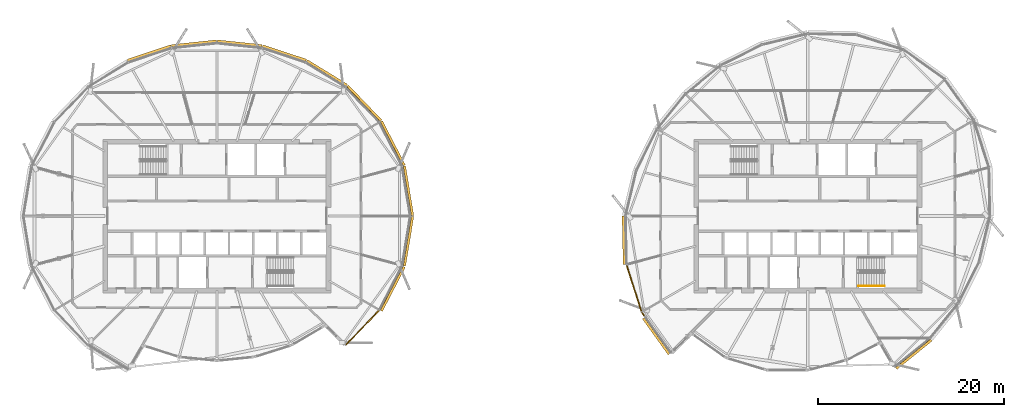
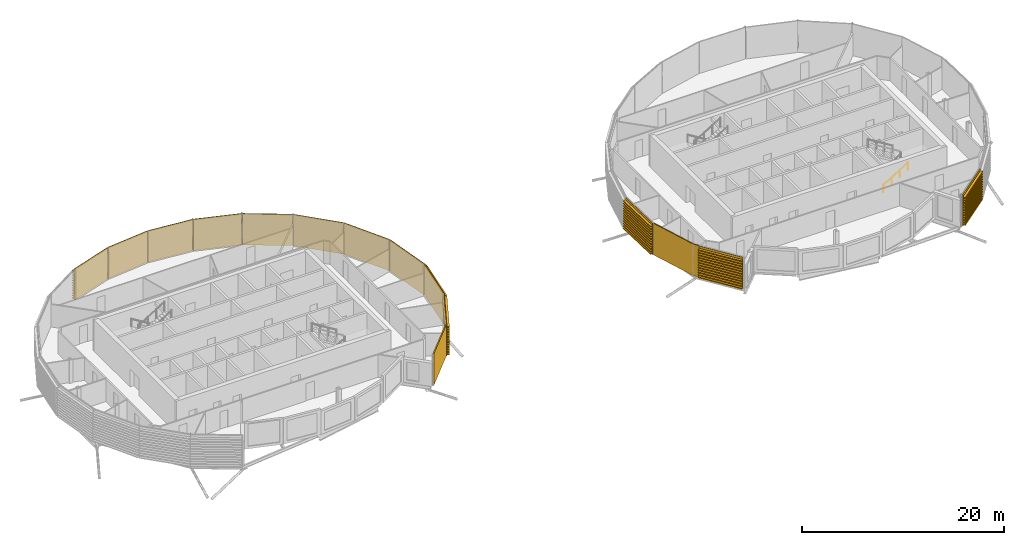
# One storey, part 33 of 35: 15 coverings, 1 railing.
"""IFC4 building model written with IfcOpenShell, lengths in metres."""

from ifc_helpers import new_model, si_unit, direction, frame, origin, origin_2d, place, context, subcontext, project, spatial, polyline, circle, outline, extrude, material, layer, layer_set, material_profile, profile_set, type_object, element, save


model = new_model("IFC4")

# Units and contexts
model_context = context("Model", 3, precision=1e-05, world=origin(), true_north=direction((0.0, 1.0)))
body_context = subcontext(model_context, "Body", "Model", "MODEL_VIEW")
ifc_project = project(units=[si_unit("LENGTHUNIT", "METRE"), si_unit("AREAUNIT", "SQUARE_METRE"), si_unit("VOLUMEUNIT", "CUBIC_METRE"), si_unit("PLANEANGLEUNIT", "RADIAN"), si_unit("MASSUNIT", "GRAM", prefix="KILO")], contexts=[model_context])

# Site, building, storey
site_placement = place(None, origin())
site = spatial("IfcSite", under=ifc_project, at=site_placement, CompositionType="ELEMENT")
building_placement = place(site_placement, origin())
building = spatial("IfcBuilding", under=site, at=building_placement, Name="Rimbun Link Towers", CompositionType="ELEMENT")
storey_placement = place(building_placement, frame((0.0, 0.0, 229.5)))
storey = spatial("IfcBuildingStorey", under=building, at=storey_placement, Name="L56", CompositionType="ELEMENT", Elevation=229.5)

# Coverings
ifc_material_1 = material(Name="Terracotta", Category="masonry")
ifc_layer = layer(ifc_material_1, 0.1201171875)
ifc_layer_set = layer_set([ifc_layer], Name="LINK PIER terracotta cladding 120")
covering_type_1 = type_object("IfcCoveringType", Name="LINK PIER terracotta cladding 120", PredefinedType="CLADDING", material=ifc_layer_set)
covering_1_placement = place(storey_placement, origin())
element("IfcCovering", 1, at=covering_1_placement, inside=storey, type_object=covering_type_1, Name="LINK PIER cladding", PredefinedType="CLADDING", context=body_context, shape_type="SweptSolid", body=[
    extrude(outline(polyline([(-14.3525390625, -10.078125), (-17.914306640625, -13.79345703125), (-17.82763671875, -13.87646484375), (-14.265869140625, -10.1611328125), (-14.3525390625, -10.078125)])), origin(), (0.0, 0.0, 1.0), 3.800048828125),
])
covering_2_placement = place(storey_placement, origin())
element("IfcCovering", 2, at=covering_2_placement, inside=storey, type_object=covering_type_1, Name="LINK PIER cladding", PredefinedType="CLADDING", context=body_context, shape_type="SweptSolid", body=[
    extrude(outline(polyline([(14.298828125, -10.787841796875), (13.9375, -10.2841796875), (12.33154296875, -5.234130859375), (12.217041015625, -5.2705078125), (13.828857421875, -10.338623046875), (14.201416015625, -10.85791015625), (14.298828125, -10.787841796875)])), origin(), (0.0, 0.0, 1.0), 3.800048828125),
])

# Railing
ifc_material_2 = material(Name="Stainless steel grade 316", Category="steel")
railing_type = type_object("IfcRailingType", Name="Stair handrail", PredefinedType="HANDRAIL", material=ifc_material_2)
railing_placement = place(storey_placement, frame((37.199951171875, -7.5, 0.172607421875)))
element("IfcRailing", 3, at=railing_placement, inside=storey, type_object=railing_type, Name="L56 ST4 stair handrail 1", PredefinedType="HANDRAIL", context=body_context, shape_type="SweptSolid", body=[
    extrude(circle(Radius=0.02392578125, at=origin_2d()), frame((0.0, 0.0, 0.8759765625), z_axis=(0.851089632645, 0.0, 0.525020415988), x_axis=(0.0, 1.0, 0.0)), (0.0, 0.0, 1.0), 3.2900390625),
    extrude(circle(Radius=0.02099609375, at=origin_2d()), origin(), (0.0, 0.0, 1.0), 0.851806640625),
    extrude(circle(Radius=0.02099609375, at=origin_2d()), frame((0.933349609375, 0.0, 0.57568359375)), (0.0, 0.0, 1.0), 0.851806640625),
    extrude(circle(Radius=0.02099609375, at=origin_2d()), frame((1.86669921875, 0.0, 1.151611328125)), (0.0, 0.0, 1.0), 0.851806640625),
    extrude(circle(Radius=0.02099609375, at=origin_2d()), frame((2.800048828125, 0.0, 1.727294921875)), (0.0, 0.0, 1.0), 0.851806640625),
])

# Coverings
ifc_material_3 = material(Name="Terracotta", Category="masonry")
ifc_material_profile = material_profile(ifc_material_3, outline(polyline([(0.123046875, 0.0), (0.1630859375, 0.0), (0.1630859375, 0.10009765625), (0.423095703125, 0.10009765625), (0.423095703125, 0.219970703125), (0.1630859375, 0.219970703125), (0.1630859375, 0.39990234375), (0.423095703125, 0.39990234375), (0.423095703125, 0.52001953125), (0.1630859375, 0.52001953125), (0.1630859375, 0.699951171875), (0.423095703125, 0.699951171875), (0.423095703125, 0.820068359375), (0.1630859375, 0.820068359375), (0.1630859375, 1.0), (0.423095703125, 1.0), (0.423095703125, 1.1201171875), (0.1630859375, 1.1201171875), (0.1630859375, 1.300048828125), (0.423095703125, 1.300048828125), (0.423095703125, 1.419921875), (0.1630859375, 1.419921875), (0.1630859375, 1.60009765625), (0.423095703125, 1.60009765625), (0.423095703125, 1.719970703125), (0.1630859375, 1.719970703125), (0.1630859375, 1.89990234375), (0.423095703125, 1.89990234375), (0.423095703125, 2.02001953125), (0.1630859375, 2.02001953125), (0.1630859375, 2.199951171875), (0.423095703125, 2.199951171875), (0.423095703125, 2.320068359375), (0.1630859375, 2.320068359375), (0.1630859375, 2.5), (0.423095703125, 2.5), (0.423095703125, 2.6201171875), (0.1630859375, 2.6201171875), (0.1630859375, 2.800048828125), (0.423095703125, 2.800048828125), (0.423095703125, 2.919921875), (0.1630859375, 2.919921875), (0.1630859375, 3.10009765625), (0.423095703125, 3.10009765625), (0.423095703125, 3.219970703125), (0.1630859375, 3.219970703125), (0.1630859375, 3.39990234375), (0.423095703125, 3.39990234375), (0.423095703125, 3.52001953125), (0.1630859375, 3.52001953125), (0.1630859375, 3.800048828125), (0.123046875, 3.800048828125), (0.123046875, 0.0)])), Name="BAGUETTE 120X300")
ifc_profile_set = profile_set([ifc_material_profile], Name="Terracotta")
covering_type_2 = type_object("IfcCoveringType", Name="TERRACOTTA BAGUETTE 120X300 H3800", PredefinedType="CLADDING", material=ifc_profile_set)
covering_3_placement = place(storey_placement, frame((-11.8828125, 5.323486328125, 0.0), z_axis=(0.162277824196, -0.986745107804, 0.0), x_axis=(0.986745107804, 0.162277824196, 0.0)))
element("IfcCovering", 4, at=covering_3_placement, inside=storey, type_object=covering_type_2, Name="TERRACOTTA BAGUETTE", PredefinedType="CLADDING", context=body_context, shape_type="SweptSolid", body=[
    extrude(outline(polyline([(0.123046875, 0.0), (0.1630859375, 0.0), (0.1630859375, 0.10009765625), (0.423095703125, 0.10009765625), (0.423095703125, 0.219970703125), (0.1630859375, 0.219970703125), (0.1630859375, 0.39990234375), (0.423095703125, 0.39990234375), (0.423095703125, 0.52001953125), (0.1630859375, 0.52001953125), (0.1630859375, 0.699951171875), (0.423095703125, 0.699951171875), (0.423095703125, 0.820068359375), (0.1630859375, 0.820068359375), (0.1630859375, 1.0), (0.423095703125, 1.0), (0.423095703125, 1.1201171875), (0.1630859375, 1.1201171875), (0.1630859375, 1.300048828125), (0.423095703125, 1.300048828125), (0.423095703125, 1.419921875), (0.1630859375, 1.419921875), (0.1630859375, 1.60009765625), (0.423095703125, 1.60009765625), (0.423095703125, 1.719970703125), (0.1630859375, 1.719970703125), (0.1630859375, 1.89990234375), (0.423095703125, 1.89990234375), (0.423095703125, 2.02001953125), (0.1630859375, 2.02001953125), (0.1630859375, 2.199951171875), (0.423095703125, 2.199951171875), (0.423095703125, 2.320068359375), (0.1630859375, 2.320068359375), (0.1630859375, 2.5), (0.423095703125, 2.5), (0.423095703125, 2.6201171875), (0.1630859375, 2.6201171875), (0.1630859375, 2.800048828125), (0.423095703125, 2.800048828125), (0.423095703125, 2.919921875), (0.1630859375, 2.919921875), (0.1630859375, 3.10009765625), (0.423095703125, 3.10009765625), (0.423095703125, 3.219970703125), (0.1630859375, 3.219970703125), (0.1630859375, 3.39990234375), (0.423095703125, 3.39990234375), (0.423095703125, 3.52001953125), (0.1630859375, 3.52001953125), (0.1630859375, 3.800048828125), (0.123046875, 3.800048828125), (0.123046875, 0.0)])), origin(), (0.0, 0.0, 1.0), 5.39501953125),
])
covering_4_placement = place(storey_placement, frame((-14.331787109375, 10.056396484375, 0.0), z_axis=(0.459558764899, -0.888147364802, 0.0), x_axis=(0.888147364802, 0.459558764899, 0.0)))
element("IfcCovering", 5, at=covering_4_placement, inside=storey, type_object=covering_type_2, Name="TERRACOTTA BAGUETTE", PredefinedType="CLADDING", context=body_context, shape_type="SweptSolid", body=[
    extrude(outline(polyline([(0.123046875, 0.0), (0.1630859375, 0.0), (0.1630859375, 0.10009765625), (0.423095703125, 0.10009765625), (0.423095703125, 0.219970703125), (0.1630859375, 0.219970703125), (0.1630859375, 0.39990234375), (0.423095703125, 0.39990234375), (0.423095703125, 0.52001953125), (0.1630859375, 0.52001953125), (0.1630859375, 0.699951171875), (0.423095703125, 0.699951171875), (0.423095703125, 0.820068359375), (0.1630859375, 0.820068359375), (0.1630859375, 1.0), (0.423095703125, 1.0), (0.423095703125, 1.1201171875), (0.1630859375, 1.1201171875), (0.1630859375, 1.300048828125), (0.423095703125, 1.300048828125), (0.423095703125, 1.419921875), (0.1630859375, 1.419921875), (0.1630859375, 1.60009765625), (0.423095703125, 1.60009765625), (0.423095703125, 1.719970703125), (0.1630859375, 1.719970703125), (0.1630859375, 1.89990234375), (0.423095703125, 1.89990234375), (0.423095703125, 2.02001953125), (0.1630859375, 2.02001953125), (0.1630859375, 2.199951171875), (0.423095703125, 2.199951171875), (0.423095703125, 2.320068359375), (0.1630859375, 2.320068359375), (0.1630859375, 2.5), (0.423095703125, 2.5), (0.423095703125, 2.6201171875), (0.1630859375, 2.6201171875), (0.1630859375, 2.800048828125), (0.423095703125, 2.800048828125), (0.423095703125, 2.919921875), (0.1630859375, 2.919921875), (0.1630859375, 3.10009765625), (0.423095703125, 3.10009765625), (0.423095703125, 3.219970703125), (0.1630859375, 3.219970703125), (0.1630859375, 3.39990234375), (0.423095703125, 3.39990234375), (0.423095703125, 3.52001953125), (0.1630859375, 3.52001953125), (0.1630859375, 3.800048828125), (0.123046875, 3.800048828125), (0.123046875, 0.0)])), origin(), (0.0, 0.0, 1.0), 5.328857421875),
])
covering_5_placement = place(storey_placement, frame((-17.93505859375, 13.81494140625, 0.0), z_axis=(0.692038763071, -0.72186033996, 0.0), x_axis=(0.72186033996, 0.692038763071, 0.0)))
element("IfcCovering", 6, at=covering_5_placement, inside=storey, type_object=covering_type_2, Name="TERRACOTTA BAGUETTE", PredefinedType="CLADDING", context=body_context, shape_type="SweptSolid", body=[
    extrude(outline(polyline([(0.123046875, 0.0), (0.1630859375, 0.0), (0.1630859375, 0.10009765625), (0.423095703125, 0.10009765625), (0.423095703125, 0.219970703125), (0.1630859375, 0.219970703125), (0.1630859375, 0.39990234375), (0.423095703125, 0.39990234375), (0.423095703125, 0.52001953125), (0.1630859375, 0.52001953125), (0.1630859375, 0.699951171875), (0.423095703125, 0.699951171875), (0.423095703125, 0.820068359375), (0.1630859375, 0.820068359375), (0.1630859375, 1.0), (0.423095703125, 1.0), (0.423095703125, 1.1201171875), (0.1630859375, 1.1201171875), (0.1630859375, 1.300048828125), (0.423095703125, 1.300048828125), (0.423095703125, 1.419921875), (0.1630859375, 1.419921875), (0.1630859375, 1.60009765625), (0.423095703125, 1.60009765625), (0.423095703125, 1.719970703125), (0.1630859375, 1.719970703125), (0.1630859375, 1.89990234375), (0.423095703125, 1.89990234375), (0.423095703125, 2.02001953125), (0.1630859375, 2.02001953125), (0.1630859375, 2.199951171875), (0.423095703125, 2.199951171875), (0.423095703125, 2.320068359375), (0.1630859375, 2.320068359375), (0.1630859375, 2.5), (0.423095703125, 2.5), (0.423095703125, 2.6201171875), (0.1630859375, 2.6201171875), (0.1630859375, 2.800048828125), (0.423095703125, 2.800048828125), (0.423095703125, 2.919921875), (0.1630859375, 2.919921875), (0.1630859375, 3.10009765625), (0.423095703125, 3.10009765625), (0.423095703125, 3.219970703125), (0.1630859375, 3.219970703125), (0.1630859375, 3.39990234375), (0.423095703125, 3.39990234375), (0.423095703125, 3.52001953125), (0.1630859375, 3.52001953125), (0.1630859375, 3.800048828125), (0.123046875, 3.800048828125), (0.123046875, 0.0)])), origin(), (0.0, 0.0, 1.0), 5.206787109375),
])
covering_6_placement = place(storey_placement, frame((-22.245849609375, 16.4619140625, 0.0), z_axis=(0.852171603276, -0.523262418458, 0.0), x_axis=(0.523262418458, 0.852171603276, 0.0)))
element("IfcCovering", 7, at=covering_6_placement, inside=storey, type_object=covering_type_2, Name="TERRACOTTA BAGUETTE", PredefinedType="CLADDING", context=body_context, shape_type="SweptSolid", body=[
    extrude(outline(polyline([(0.123046875, 0.0), (0.1630859375, 0.0), (0.1630859375, 0.10009765625), (0.423095703125, 0.10009765625), (0.423095703125, 0.219970703125), (0.1630859375, 0.219970703125), (0.1630859375, 0.39990234375), (0.423095703125, 0.39990234375), (0.423095703125, 0.52001953125), (0.1630859375, 0.52001953125), (0.1630859375, 0.699951171875), (0.423095703125, 0.699951171875), (0.423095703125, 0.820068359375), (0.1630859375, 0.820068359375), (0.1630859375, 1.0), (0.423095703125, 1.0), (0.423095703125, 1.1201171875), (0.1630859375, 1.1201171875), (0.1630859375, 1.300048828125), (0.423095703125, 1.300048828125), (0.423095703125, 1.419921875), (0.1630859375, 1.419921875), (0.1630859375, 1.60009765625), (0.423095703125, 1.60009765625), (0.423095703125, 1.719970703125), (0.1630859375, 1.719970703125), (0.1630859375, 1.89990234375), (0.423095703125, 1.89990234375), (0.423095703125, 2.02001953125), (0.1630859375, 2.02001953125), (0.1630859375, 2.199951171875), (0.423095703125, 2.199951171875), (0.423095703125, 2.320068359375), (0.1630859375, 2.320068359375), (0.1630859375, 2.5), (0.423095703125, 2.5), (0.423095703125, 2.6201171875), (0.1630859375, 2.6201171875), (0.1630859375, 2.800048828125), (0.423095703125, 2.800048828125), (0.423095703125, 2.919921875), (0.1630859375, 2.919921875), (0.1630859375, 3.10009765625), (0.423095703125, 3.10009765625), (0.423095703125, 3.219970703125), (0.1630859375, 3.219970703125), (0.1630859375, 3.39990234375), (0.423095703125, 3.39990234375), (0.423095703125, 3.52001953125), (0.1630859375, 3.52001953125), (0.1630859375, 3.800048828125), (0.123046875, 3.800048828125), (0.123046875, 0.0)])), origin(), (0.0, 0.0, 1.0), 5.05859375),
])
covering_7_placement = place(storey_placement, frame((-26.923583984375, 18.011962890625, 0.0), z_axis=(0.949241645975, -0.314547766717, 0.0), x_axis=(0.314547766717, 0.949241645975, 0.0)))
element("IfcCovering", 8, at=covering_7_placement, inside=storey, type_object=covering_type_2, Name="TERRACOTTA BAGUETTE", PredefinedType="CLADDING", context=body_context, shape_type="SweptSolid", body=[
    extrude(outline(polyline([(0.123046875, 0.0), (0.1630859375, 0.0), (0.1630859375, 0.10009765625), (0.423095703125, 0.10009765625), (0.423095703125, 0.219970703125), (0.1630859375, 0.219970703125), (0.1630859375, 0.39990234375), (0.423095703125, 0.39990234375), (0.423095703125, 0.52001953125), (0.1630859375, 0.52001953125), (0.1630859375, 0.699951171875), (0.423095703125, 0.699951171875), (0.423095703125, 0.820068359375), (0.1630859375, 0.820068359375), (0.1630859375, 1.0), (0.423095703125, 1.0), (0.423095703125, 1.1201171875), (0.1630859375, 1.1201171875), (0.1630859375, 1.300048828125), (0.423095703125, 1.300048828125), (0.423095703125, 1.419921875), (0.1630859375, 1.419921875), (0.1630859375, 1.60009765625), (0.423095703125, 1.60009765625), (0.423095703125, 1.719970703125), (0.1630859375, 1.719970703125), (0.1630859375, 1.89990234375), (0.423095703125, 1.89990234375), (0.423095703125, 2.02001953125), (0.1630859375, 2.02001953125), (0.1630859375, 2.199951171875), (0.423095703125, 2.199951171875), (0.423095703125, 2.320068359375), (0.1630859375, 2.320068359375), (0.1630859375, 2.5), (0.423095703125, 2.5), (0.423095703125, 2.6201171875), (0.1630859375, 2.6201171875), (0.1630859375, 2.800048828125), (0.423095703125, 2.800048828125), (0.423095703125, 2.919921875), (0.1630859375, 2.919921875), (0.1630859375, 3.10009765625), (0.423095703125, 3.10009765625), (0.423095703125, 3.219970703125), (0.1630859375, 3.219970703125), (0.1630859375, 3.39990234375), (0.423095703125, 3.39990234375), (0.423095703125, 3.52001953125), (0.1630859375, 3.52001953125), (0.1630859375, 3.800048828125), (0.123046875, 3.800048828125), (0.123046875, 0.0)])), origin(), (0.0, 0.0, 1.0), 4.927978515625),
])
for number, where, z_axis, x_axis, name in (
    (9, (-31.75, 18.520263671875, 0.0), (0.994499938553, -0.104737157776, 0.0), (0.104737157776, 0.994499938553, 0.0), "TERRACOTTA BAGUETTE"),
    (10, (-36.576416015625, 18.011962890625, 0.0), (0.994499938553, 0.104737157776, 0.0), (-0.104737157776, 0.994499938553, 0.0), "TERRACOTTA BAGUETTE"),
):
    element("IfcCovering", number, at=place(storey_placement, frame(where, z_axis=z_axis, x_axis=x_axis)), inside=storey, type_object=covering_type_2, Name=name, PredefinedType="CLADDING", context=body_context, shape_type="SweptSolid", body=[
        extrude(outline(polyline([(0.123046875, 0.0), (0.1630859375, 0.0), (0.1630859375, 0.10009765625), (0.423095703125, 0.10009765625), (0.423095703125, 0.219970703125), (0.1630859375, 0.219970703125), (0.1630859375, 0.39990234375), (0.423095703125, 0.39990234375), (0.423095703125, 0.52001953125), (0.1630859375, 0.52001953125), (0.1630859375, 0.699951171875), (0.423095703125, 0.699951171875), (0.423095703125, 0.820068359375), (0.1630859375, 0.820068359375), (0.1630859375, 1.0), (0.423095703125, 1.0), (0.423095703125, 1.1201171875), (0.1630859375, 1.1201171875), (0.1630859375, 1.300048828125), (0.423095703125, 1.300048828125), (0.423095703125, 1.419921875), (0.1630859375, 1.419921875), (0.1630859375, 1.60009765625), (0.423095703125, 1.60009765625), (0.423095703125, 1.719970703125), (0.1630859375, 1.719970703125), (0.1630859375, 1.89990234375), (0.423095703125, 1.89990234375), (0.423095703125, 2.02001953125), (0.1630859375, 2.02001953125), (0.1630859375, 2.199951171875), (0.423095703125, 2.199951171875), (0.423095703125, 2.320068359375), (0.1630859375, 2.320068359375), (0.1630859375, 2.5), (0.423095703125, 2.5), (0.423095703125, 2.6201171875), (0.1630859375, 2.6201171875), (0.1630859375, 2.800048828125), (0.423095703125, 2.800048828125), (0.423095703125, 2.919921875), (0.1630859375, 2.919921875), (0.1630859375, 3.10009765625), (0.423095703125, 3.10009765625), (0.423095703125, 3.219970703125), (0.1630859375, 3.219970703125), (0.1630859375, 3.39990234375), (0.423095703125, 3.39990234375), (0.423095703125, 3.52001953125), (0.1630859375, 3.52001953125), (0.1630859375, 3.800048828125), (0.123046875, 3.800048828125), (0.123046875, 0.0)])), origin(), (0.0, 0.0, 1.0), 4.85302734375),
    ])
covering_8_placement = place(storey_placement, frame((-41.254150390625, 16.4619140625, 0.0), z_axis=(0.949241645975, 0.314547766717, 0.0), x_axis=(-0.314547766717, 0.949241645975, 0.0)))
element("IfcCovering", 11, at=covering_8_placement, inside=storey, type_object=covering_type_2, Name="TERRACOTTA BAGUETTE", PredefinedType="CLADDING", context=body_context, shape_type="SweptSolid", body=[
    extrude(outline(polyline([(0.123046875, 0.0), (0.1630859375, 0.0), (0.1630859375, 0.10009765625), (0.423095703125, 0.10009765625), (0.423095703125, 0.219970703125), (0.1630859375, 0.219970703125), (0.1630859375, 0.39990234375), (0.423095703125, 0.39990234375), (0.423095703125, 0.52001953125), (0.1630859375, 0.52001953125), (0.1630859375, 0.699951171875), (0.423095703125, 0.699951171875), (0.423095703125, 0.820068359375), (0.1630859375, 0.820068359375), (0.1630859375, 1.0), (0.423095703125, 1.0), (0.423095703125, 1.1201171875), (0.1630859375, 1.1201171875), (0.1630859375, 1.300048828125), (0.423095703125, 1.300048828125), (0.423095703125, 1.419921875), (0.1630859375, 1.419921875), (0.1630859375, 1.60009765625), (0.423095703125, 1.60009765625), (0.423095703125, 1.719970703125), (0.1630859375, 1.719970703125), (0.1630859375, 1.89990234375), (0.423095703125, 1.89990234375), (0.423095703125, 2.02001953125), (0.1630859375, 2.02001953125), (0.1630859375, 2.199951171875), (0.423095703125, 2.199951171875), (0.423095703125, 2.320068359375), (0.1630859375, 2.320068359375), (0.1630859375, 2.5), (0.423095703125, 2.5), (0.423095703125, 2.6201171875), (0.1630859375, 2.6201171875), (0.1630859375, 2.800048828125), (0.423095703125, 2.800048828125), (0.423095703125, 2.919921875), (0.1630859375, 2.919921875), (0.1630859375, 3.10009765625), (0.423095703125, 3.10009765625), (0.423095703125, 3.219970703125), (0.1630859375, 3.219970703125), (0.1630859375, 3.39990234375), (0.423095703125, 3.39990234375), (0.423095703125, 3.52001953125), (0.1630859375, 3.52001953125), (0.1630859375, 3.800048828125), (0.123046875, 3.800048828125), (0.123046875, 0.0)])), origin(), (0.0, 0.0, 1.0), 4.927978515625),
])
covering_9_placement = place(storey_placement, frame((-11.8828125, -5.323486328125, 0.0), z_axis=(-0.459558764899, -0.888147364802, 0.0), x_axis=(0.888147364802, -0.459558764899, 0.0)))
element("IfcCovering", 12, at=covering_9_placement, inside=storey, type_object=covering_type_2, Name="TERRACOTTA BAGUETTE", PredefinedType="CLADDING", context=body_context, shape_type="SweptSolid", body=[
    extrude(outline(polyline([(0.123046875, 0.0), (0.1630859375, 0.0), (0.1630859375, 0.10009765625), (0.423095703125, 0.10009765625), (0.423095703125, 0.219970703125), (0.1630859375, 0.219970703125), (0.1630859375, 0.39990234375), (0.423095703125, 0.39990234375), (0.423095703125, 0.52001953125), (0.1630859375, 0.52001953125), (0.1630859375, 0.699951171875), (0.423095703125, 0.699951171875), (0.423095703125, 0.820068359375), (0.1630859375, 0.820068359375), (0.1630859375, 1.0), (0.423095703125, 1.0), (0.423095703125, 1.1201171875), (0.1630859375, 1.1201171875), (0.1630859375, 1.300048828125), (0.423095703125, 1.300048828125), (0.423095703125, 1.419921875), (0.1630859375, 1.419921875), (0.1630859375, 1.60009765625), (0.423095703125, 1.60009765625), (0.423095703125, 1.719970703125), (0.1630859375, 1.719970703125), (0.1630859375, 1.89990234375), (0.423095703125, 1.89990234375), (0.423095703125, 2.02001953125), (0.1630859375, 2.02001953125), (0.1630859375, 2.199951171875), (0.423095703125, 2.199951171875), (0.423095703125, 2.320068359375), (0.1630859375, 2.320068359375), (0.1630859375, 2.5), (0.423095703125, 2.5), (0.423095703125, 2.6201171875), (0.1630859375, 2.6201171875), (0.1630859375, 2.800048828125), (0.423095703125, 2.800048828125), (0.423095703125, 2.919921875), (0.1630859375, 2.919921875), (0.1630859375, 3.10009765625), (0.423095703125, 3.10009765625), (0.423095703125, 3.219970703125), (0.1630859375, 3.219970703125), (0.1630859375, 3.39990234375), (0.423095703125, 3.39990234375), (0.423095703125, 3.52001953125), (0.1630859375, 3.52001953125), (0.1630859375, 3.800048828125), (0.123046875, 3.800048828125), (0.123046875, 0.0)])), origin(), (0.0, 0.0, 1.0), 5.328857421875),
])
covering_10_placement = place(storey_placement, frame((-11.00732421875, 0.0, 0.0), z_axis=(-0.162277824196, -0.986745107804, 0.0), x_axis=(0.986745107804, -0.162277824196, 0.0)))
element("IfcCovering", 13, at=covering_10_placement, inside=storey, type_object=covering_type_2, Name="TERRACOTTA BAGUETTE", PredefinedType="CLADDING", context=body_context, shape_type="SweptSolid", body=[
    extrude(outline(polyline([(0.123046875, 0.0), (0.1630859375, 0.0), (0.1630859375, 0.10009765625), (0.423095703125, 0.10009765625), (0.423095703125, 0.219970703125), (0.1630859375, 0.219970703125), (0.1630859375, 0.39990234375), (0.423095703125, 0.39990234375), (0.423095703125, 0.52001953125), (0.1630859375, 0.52001953125), (0.1630859375, 0.699951171875), (0.423095703125, 0.699951171875), (0.423095703125, 0.820068359375), (0.1630859375, 0.820068359375), (0.1630859375, 1.0), (0.423095703125, 1.0), (0.423095703125, 1.1201171875), (0.1630859375, 1.1201171875), (0.1630859375, 1.300048828125), (0.423095703125, 1.300048828125), (0.423095703125, 1.419921875), (0.1630859375, 1.419921875), (0.1630859375, 1.60009765625), (0.423095703125, 1.60009765625), (0.423095703125, 1.719970703125), (0.1630859375, 1.719970703125), (0.1630859375, 1.89990234375), (0.423095703125, 1.89990234375), (0.423095703125, 2.02001953125), (0.1630859375, 2.02001953125), (0.1630859375, 2.199951171875), (0.423095703125, 2.199951171875), (0.423095703125, 2.320068359375), (0.1630859375, 2.320068359375), (0.1630859375, 2.5), (0.423095703125, 2.5), (0.423095703125, 2.6201171875), (0.1630859375, 2.6201171875), (0.1630859375, 2.800048828125), (0.423095703125, 2.800048828125), (0.423095703125, 2.919921875), (0.1630859375, 2.919921875), (0.1630859375, 3.10009765625), (0.423095703125, 3.10009765625), (0.423095703125, 3.219970703125), (0.1630859375, 3.219970703125), (0.1630859375, 3.39990234375), (0.423095703125, 3.39990234375), (0.423095703125, 3.52001953125), (0.1630859375, 3.52001953125), (0.1630859375, 3.800048828125), (0.123046875, 3.800048828125), (0.123046875, 0.0)])), origin(), (0.0, 0.0, 1.0), 5.39501953125),
])
covering_11_placement = place(storey_placement, frame((12.322509765625, -5.20556640625, 0.0), z_axis=(-0.021100263301, 0.999777364661, 0.0), x_axis=(-0.999777364661, -0.021100263301, 0.0)))
element("IfcCovering", 14, at=covering_11_placement, inside=storey, type_object=covering_type_2, Name="TERRACOTTA BAGUETTE", PredefinedType="CLADDING", context=body_context, shape_type="SweptSolid", body=[
    extrude(outline(polyline([(0.123046875, 0.0), (0.1630859375, 0.0), (0.1630859375, 0.10009765625), (0.423095703125, 0.10009765625), (0.423095703125, 0.219970703125), (0.1630859375, 0.219970703125), (0.1630859375, 0.39990234375), (0.423095703125, 0.39990234375), (0.423095703125, 0.52001953125), (0.1630859375, 0.52001953125), (0.1630859375, 0.699951171875), (0.423095703125, 0.699951171875), (0.423095703125, 0.820068359375), (0.1630859375, 0.820068359375), (0.1630859375, 1.0), (0.423095703125, 1.0), (0.423095703125, 1.1201171875), (0.1630859375, 1.1201171875), (0.1630859375, 1.300048828125), (0.423095703125, 1.300048828125), (0.423095703125, 1.419921875), (0.1630859375, 1.419921875), (0.1630859375, 1.60009765625), (0.423095703125, 1.60009765625), (0.423095703125, 1.719970703125), (0.1630859375, 1.719970703125), (0.1630859375, 1.89990234375), (0.423095703125, 1.89990234375), (0.423095703125, 2.02001953125), (0.1630859375, 2.02001953125), (0.1630859375, 2.199951171875), (0.423095703125, 2.199951171875), (0.423095703125, 2.320068359375), (0.1630859375, 2.320068359375), (0.1630859375, 2.5), (0.423095703125, 2.5), (0.423095703125, 2.6201171875), (0.1630859375, 2.6201171875), (0.1630859375, 2.800048828125), (0.423095703125, 2.800048828125), (0.423095703125, 2.919921875), (0.1630859375, 2.919921875), (0.1630859375, 3.10009765625), (0.423095703125, 3.10009765625), (0.423095703125, 3.219970703125), (0.1630859375, 3.219970703125), (0.1630859375, 3.39990234375), (0.423095703125, 3.39990234375), (0.423095703125, 3.52001953125), (0.1630859375, 3.52001953125), (0.1630859375, 3.800048828125), (0.123046875, 3.800048828125), (0.123046875, 0.0)])), origin(), (0.0, 0.0, 1.0), 5.206787109375),
])
covering_12_placement = place(storey_placement, frame((17.082763671875, -14.667236328125, 0.0), z_axis=(-0.583023074744, 0.812455595289, 0.0), x_axis=(-0.812455595289, -0.583023074744, 0.0)))
element("IfcCovering", 15, at=covering_12_placement, inside=storey, type_object=covering_type_2, Name="TERRACOTTA BAGUETTE", PredefinedType="CLADDING", context=body_context, shape_type="SweptSolid", body=[
    extrude(outline(polyline([(0.123046875, 0.0), (0.1630859375, 0.0), (0.1630859375, 0.10009765625), (0.423095703125, 0.10009765625), (0.423095703125, 0.219970703125), (0.1630859375, 0.219970703125), (0.1630859375, 0.39990234375), (0.423095703125, 0.39990234375), (0.423095703125, 0.52001953125), (0.1630859375, 0.52001953125), (0.1630859375, 0.699951171875), (0.423095703125, 0.699951171875), (0.423095703125, 0.820068359375), (0.1630859375, 0.820068359375), (0.1630859375, 1.0), (0.423095703125, 1.0), (0.423095703125, 1.1201171875), (0.1630859375, 1.1201171875), (0.1630859375, 1.300048828125), (0.423095703125, 1.300048828125), (0.423095703125, 1.419921875), (0.1630859375, 1.419921875), (0.1630859375, 1.60009765625), (0.423095703125, 1.60009765625), (0.423095703125, 1.719970703125), (0.1630859375, 1.719970703125), (0.1630859375, 1.89990234375), (0.423095703125, 1.89990234375), (0.423095703125, 2.02001953125), (0.1630859375, 2.02001953125), (0.1630859375, 2.199951171875), (0.423095703125, 2.199951171875), (0.423095703125, 2.320068359375), (0.1630859375, 2.320068359375), (0.1630859375, 2.5), (0.423095703125, 2.5), (0.423095703125, 2.6201171875), (0.1630859375, 2.6201171875), (0.1630859375, 2.800048828125), (0.423095703125, 2.800048828125), (0.423095703125, 2.919921875), (0.1630859375, 2.919921875), (0.1630859375, 3.10009765625), (0.423095703125, 3.10009765625), (0.423095703125, 3.219970703125), (0.1630859375, 3.219970703125), (0.1630859375, 3.39990234375), (0.423095703125, 3.39990234375), (0.423095703125, 3.52001953125), (0.1630859375, 3.52001953125), (0.1630859375, 3.800048828125), (0.123046875, 3.800048828125), (0.123046875, 0.0)])), origin(), (0.0, 0.0, 1.0), 4.744873046875),
])
covering_13_placement = place(storey_placement, frame((44.845703125, -13.095703125, 0.0), z_axis=(-0.777248385318, -0.629193887066, 0.0), x_axis=(0.629193887066, -0.777248385318, 0.0)))
element("IfcCovering", 16, at=covering_13_placement, inside=storey, type_object=covering_type_2, Name="TERRACOTTA BAGUETTE", PredefinedType="CLADDING", context=body_context, shape_type="SweptSolid", body=[
    extrude(outline(polyline([(0.123046875, 0.0), (0.1630859375, 0.0), (0.1630859375, 0.10009765625), (0.423095703125, 0.10009765625), (0.423095703125, 0.219970703125), (0.1630859375, 0.219970703125), (0.1630859375, 0.39990234375), (0.423095703125, 0.39990234375), (0.423095703125, 0.52001953125), (0.1630859375, 0.52001953125), (0.1630859375, 0.699951171875), (0.423095703125, 0.699951171875), (0.423095703125, 0.820068359375), (0.1630859375, 0.820068359375), (0.1630859375, 1.0), (0.423095703125, 1.0), (0.423095703125, 1.1201171875), (0.1630859375, 1.1201171875), (0.1630859375, 1.300048828125), (0.423095703125, 1.300048828125), (0.423095703125, 1.419921875), (0.1630859375, 1.419921875), (0.1630859375, 1.60009765625), (0.423095703125, 1.60009765625), (0.423095703125, 1.719970703125), (0.1630859375, 1.719970703125), (0.1630859375, 1.89990234375), (0.423095703125, 1.89990234375), (0.423095703125, 2.02001953125), (0.1630859375, 2.02001953125), (0.1630859375, 2.199951171875), (0.423095703125, 2.199951171875), (0.423095703125, 2.320068359375), (0.1630859375, 2.320068359375), (0.1630859375, 2.5), (0.423095703125, 2.5), (0.423095703125, 2.6201171875), (0.1630859375, 2.6201171875), (0.1630859375, 2.800048828125), (0.423095703125, 2.800048828125), (0.423095703125, 2.919921875), (0.1630859375, 2.919921875), (0.1630859375, 3.10009765625), (0.423095703125, 3.10009765625), (0.423095703125, 3.219970703125), (0.1630859375, 3.219970703125), (0.1630859375, 3.39990234375), (0.423095703125, 3.39990234375), (0.423095703125, 3.52001953125), (0.1630859375, 3.52001953125), (0.1630859375, 3.800048828125), (0.123046875, 3.800048828125), (0.123046875, 0.0)])), origin(), (0.0, 0.0, 1.0), 4.85302734375),
])

save(model, "model.ifc")
